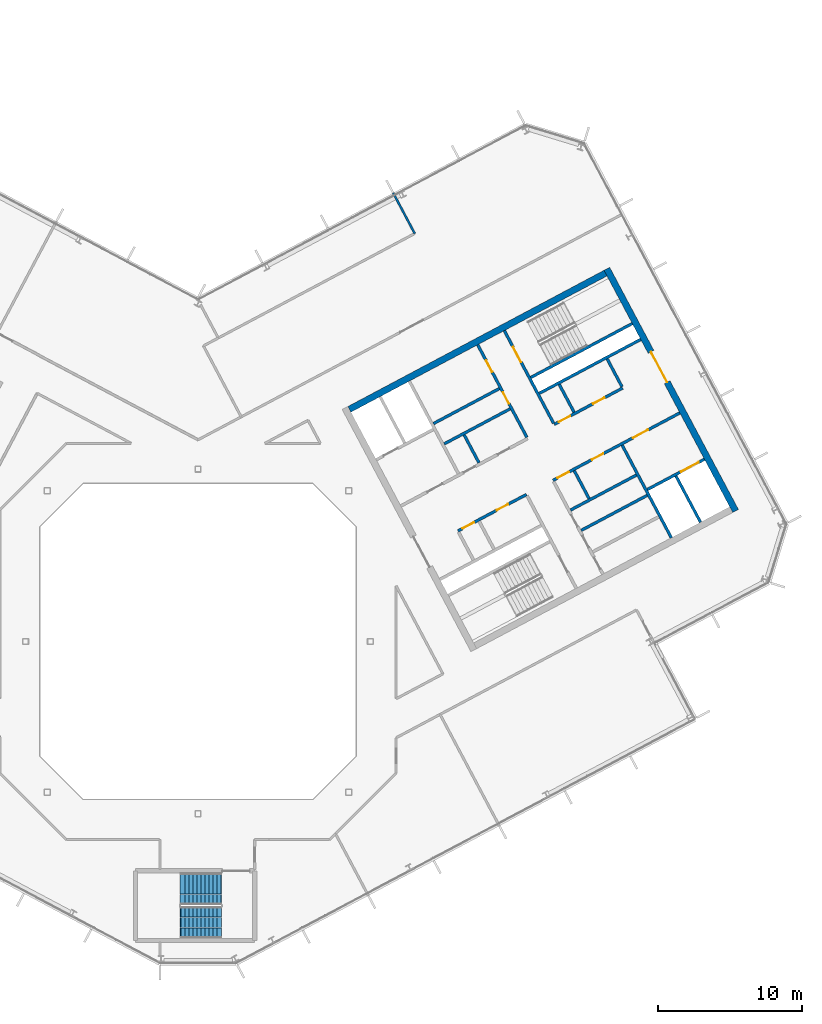
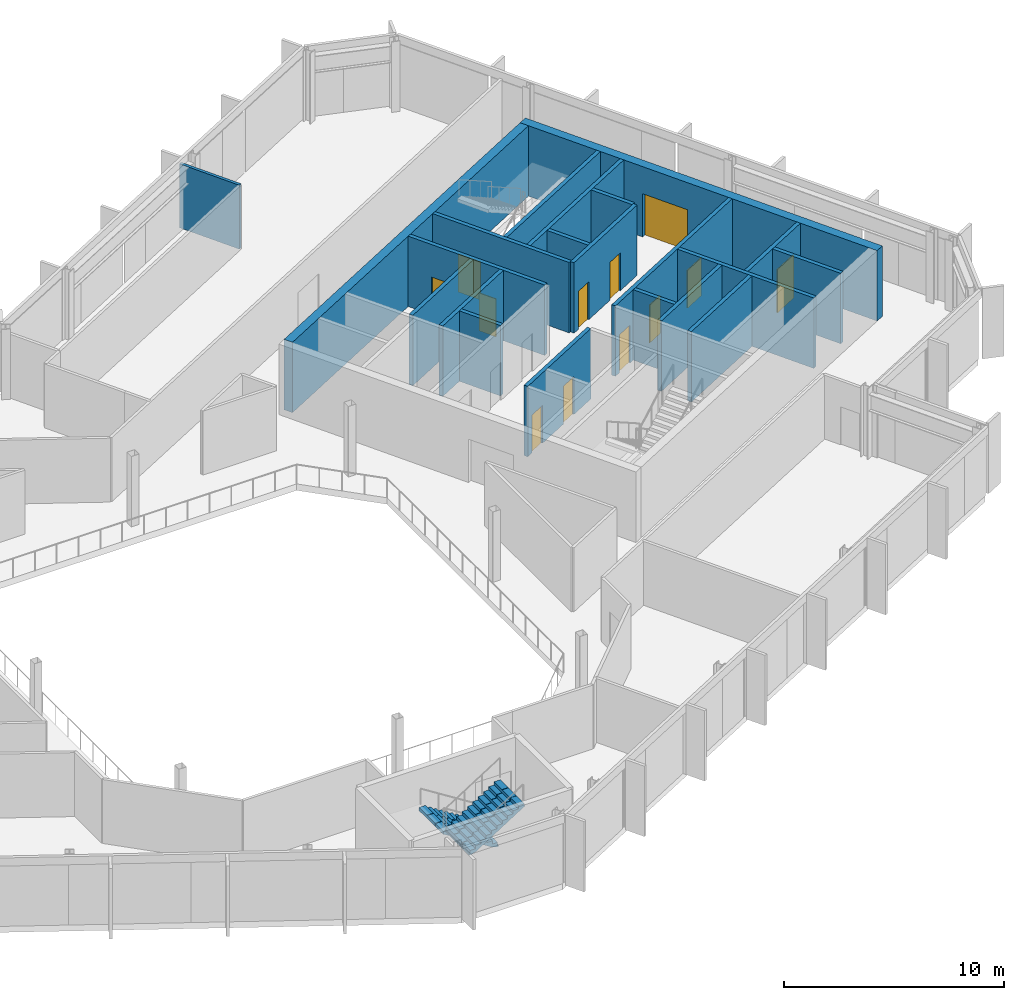
# One storey, part 17 of 26: 21 walls, 12 doors, 2 stair flights, 12 openings, 1 element without a shape of its own.
"""IFC4 building model written with IfcOpenShell, lengths in metres."""

from ifc_helpers import new_model, si_unit, direction, frame, frame_2d, origin, place, context, subcontext, project, spatial, polyline, rectangle, outline, extrude, material, layer, layer_set, type_object, element, fill, aggregate, save


model = new_model("IFC4")

# Units and contexts
model_context = context("Model", 3, precision=1e-05, world=origin(), true_north=direction((0.0, 1.0)))
body_context = subcontext(model_context, "Body", "Model", "MODEL_VIEW")
ifc_project = project(units=[si_unit("LENGTHUNIT", "METRE"), si_unit("AREAUNIT", "SQUARE_METRE"), si_unit("VOLUMEUNIT", "CUBIC_METRE"), si_unit("PLANEANGLEUNIT", "RADIAN"), si_unit("MASSUNIT", "GRAM", prefix="KILO")], contexts=[model_context])

# Site, building, storey
site_placement = place(None, origin())
site = spatial("IfcSite", under=ifc_project, at=site_placement, CompositionType="ELEMENT")
building_placement = place(site_placement, origin())
building = spatial("IfcBuilding", under=site, at=building_placement, Name="Cormorant Relay Tower", CompositionType="ELEMENT")
storey_placement = place(building_placement, frame((0.0, 0.0, 300.89990234375)))
storey = spatial("IfcBuildingStorey", under=building, at=storey_placement, Name="L68", CompositionType="ELEMENT", Elevation=300.89990234375)

# Walls
ifc_material_1 = material(Name="Concrete 40 MPa", Category="concrete")
ifc_layer_1 = layer(ifc_material_1, 0.199951171875)
ifc_layer_set_1 = layer_set([ifc_layer_1], Name="Core internal wall 200")
wall_type_1 = type_object("IfcWallType", Name="Core internal wall 200", PredefinedType="SOLIDWALL", material=ifc_layer_set_1)
for number, where, z_axis, x_axis, name in (
    (1, (19.568603515625, 12.443603515625, 0.0), (0.0, 0.0, 1.0), (-0.4694473164, 0.882960484464, 0.0), "L68 core B shaft and room wall"),
    (2, (27.236083984375, 9.951416015625, 0.0), (0.0, 0.0, 1.0), (-0.4694473164, 0.882960484464, 0.0), "L68 core B shaft and room wall"),
    (3, (26.19091796875, 15.964599609375, 0.0), (0.0, 0.0, 1.0), (-0.469533832133, 0.882914480843, 0.0), "L68 core B shaft and room wall"),
):
    element("IfcWall", number, at=place(storey_placement, frame(where, z_axis=z_axis, x_axis=x_axis)), inside=storey, type_object=wall_type_1, Name=name, PredefinedType="SOLIDWALL", context=body_context, shape_type="SweptSolid", body=[
        extrude(rectangle(XDim=2.199951171875, YDim=0.199951171875, at=frame_2d((1.10009765625, 0.0))), origin(), (0.0, 0.0, 1.0), 3.900146484375),
    ])
for number, where, z_axis, x_axis, name in (
    (4, (26.692138671875, 7.73681640625, 0.0), (0.0, 0.0, 1.0), (0.882953967957, 0.469459572775, 0.0), "L68 core B shaft and room wall"),
    (5, (16.395751953125, 15.17333984375, 0.0), (0.0, 0.0, 1.0), (0.882934506056, 0.469496174655, 0.0), "L68 core B shaft and room wall"),
):
    element("IfcWall", number, at=place(storey_placement, frame(where, z_axis=z_axis, x_axis=x_axis)), inside=storey, type_object=wall_type_1, Name=name, PredefinedType="SOLIDWALL", context=body_context, shape_type="SweptSolid", body=[
        extrude(rectangle(XDim=5.199951171875, YDim=0.199951171875, at=frame_2d((2.60009765625, 0.0))), origin(), (0.0, 0.0, 1.0), 3.900146484375),
    ])

# Wall, openings, doors
ifc_material_2 = material(Name="Concrete 50 MPa", Category="concrete")
ifc_layer_2 = layer(ifc_material_2, 0.199951171875)
ifc_layer_set_2 = layer_set([ifc_layer_2], Name="Core shaft wall 200")
wall_type_2 = type_object("IfcWallType", Name="Core shaft wall 200", PredefinedType="SHEAR", material=ifc_layer_set_2)
wall_1_placement = place(storey_placement, frame((22.90625, 14.218017578125, 0.0), z_axis=(0.0, 0.0, 1.0), x_axis=(-0.469480409012, 0.88294288918, 0.0)))
wall_1 = element("IfcWall", 6, at=wall_1_placement, inside=storey, type_object=wall_type_2, Name="L68 core B shaft wall", PredefinedType="SHEAR", context=body_context, shape_type="SweptSolid", body=[
    extrude(rectangle(XDim=7.300048828125, YDim=0.199951171875, at=frame_2d((3.64990234375, 0.0))), origin(), (0.0, 0.0, 1.0), 3.900146484375),
])
opening_1_placement = place(wall_1_placement, frame((2.64990234375, 0.0, 0.0)))
opening_1 = element("IfcOpeningElement", 7, at=opening_1_placement, cuts=wall_1, Name="Opening CDD-304", PredefinedType="OPENING", context=body_context, shape_type="SweptSolid", body=[
    extrude(rectangle(XDim=0.89990234375, YDim=2.10009765625, at=frame_2d((0.449951171875, 1.050048828125))), frame((0.0, 0.10986328125, 0.0), z_axis=(0.0, -1.0, 0.0), x_axis=(1.0, 0.0, 0.0)), (0.0, 0.0, 1.0), 0.219970703125),
])
opening_2_placement = place(wall_1_placement, frame((5.14990234375, 0.0, 0.0)))
opening_2 = element("IfcOpeningElement", 8, at=opening_2_placement, cuts=wall_1, Name="Opening CDD-342", PredefinedType="OPENING", context=body_context, shape_type="SweptSolid", body=[
    extrude(rectangle(XDim=0.89990234375, YDim=2.10009765625, at=frame_2d((0.449951171875, 1.050048828125))), frame((0.0, 0.10986328125, 0.0), z_axis=(0.0, -1.0, 0.0), x_axis=(1.0, 0.0, 0.0)), (0.0, 0.0, 1.0), 0.219970703125),
])
ifc_material_3 = material(Name="Steel fire door", Category="steel")
door_type_1 = type_object("IfcDoorType", Name="Core room door 900x2100", OperationType="SINGLE_SWING_LEFT", PredefinedType="DOOR", material=ifc_material_3)
door_1_placement = place(opening_1_placement, origin())
door_1 = element("IfcDoor", 9, at=door_1_placement, inside=storey, type_object=door_type_1, Name="Core room door 900x2100", OperationType="SINGLE_SWING_RIGHT", OverallHeight=2.10009765625, OverallWidth=0.89990234375, PredefinedType="DOOR", context=body_context, shape_type="SweptSolid", body=[
    extrude(rectangle(XDim=0.89990234375, YDim=2.10009765625, at=frame_2d((0.449951171875, 1.050048828125))), frame((0.0, 0.02490234375, 0.0), z_axis=(0.0, -1.0, 0.0), x_axis=(1.0, 0.0, 0.0)), (0.0, 0.0, 1.0), 0.050048828125),
])
fill(opening_1, door_1)
door_2_placement = place(opening_2_placement, origin())
door_2 = element("IfcDoor", 10, at=door_2_placement, inside=storey, type_object=door_type_1, Name="Core room door 900x2100", OperationType="SINGLE_SWING_LEFT", OverallHeight=2.10009765625, OverallWidth=0.89990234375, PredefinedType="DOOR", context=body_context, shape_type="SweptSolid", body=[
    extrude(rectangle(XDim=0.89990234375, YDim=2.10009765625, at=frame_2d((0.449951171875, 1.050048828125))), frame((0.0, 0.02490234375, 0.0), z_axis=(0.0, -1.0, 0.0), x_axis=(1.0, 0.0, 0.0)), (0.0, 0.0, 1.0), 0.050048828125),
])
fill(opening_2, door_2)

# Wall, opening, door
wall_2_placement = place(storey_placement, frame((24.760498046875, 15.2041015625, 0.0), z_axis=(0.0, 0.0, 1.0), x_axis=(-0.469494272526, 0.882935517501, 0.0)))
wall_2 = element("IfcWall", 11, at=wall_2_placement, inside=storey, type_object=wall_type_2, Name="L68 core B shaft wall", PredefinedType="SHEAR", context=body_context, shape_type="SweptSolid", body=[
    extrude(rectangle(XDim=7.2998046875, YDim=0.199951171875, at=frame_2d((3.64990234375, 0.0))), origin(), (0.0, 0.0, 1.0), 3.900146484375),
])
opening_3_placement = place(wall_2_placement, frame((4.800048828125, 0.0, 0.0)))
opening_3 = element("IfcOpeningElement", 12, at=opening_3_placement, cuts=wall_2, Name="Opening CDB-041", PredefinedType="OPENING", context=body_context, shape_type="SweptSolid", body=[
    extrude(rectangle(XDim=1.199951171875, YDim=2.10009765625, at=frame_2d((0.60009765625, 1.050048828125))), frame((0.0, 0.10986328125, 0.0), z_axis=(0.0, -1.0, 0.0), x_axis=(1.0, 0.0, 0.0)), (0.0, 0.0, 1.0), 0.219970703125),
])
ifc_material_4 = material(Name="Steel fire door", Category="steel")
door_type_2 = type_object("IfcDoorType", Name="Core stair door 1200x2100", OperationType="SINGLE_SWING_LEFT", PredefinedType="DOOR", material=ifc_material_4)
door_3_placement = place(opening_3_placement, frame((1.199951171875, 0.0, 0.0), z_axis=(0.0, 0.0, 1.0), x_axis=(-1.0, 0.0, 0.0)))
door_3 = element("IfcDoor", 13, at=door_3_placement, inside=storey, type_object=door_type_2, Name="Core stair door 1200x2100", OperationType="SINGLE_SWING_RIGHT", OverallHeight=2.10009765625, OverallWidth=1.199951171875, PredefinedType="DOOR", context=body_context, shape_type="SweptSolid", body=[
    extrude(rectangle(XDim=1.199951171875, YDim=2.10009765625, at=frame_2d((0.60009765625, 1.050048828125))), frame((0.0, 0.02490234375, 0.0), z_axis=(0.0, -1.0, 0.0), x_axis=(1.0, 0.0, 0.0)), (0.0, 0.0, 1.0), 0.050048828125),
])
fill(opening_3, door_3)

# Walls
wall_3_placement = place(storey_placement, frame((32.968017578125, 7.222900390625, 0.0), z_axis=(0.0, 0.0, 1.0), x_axis=(-0.469480409012, 0.88294288918, 0.0)))
element("IfcWall", 14, at=wall_3_placement, inside=storey, type_object=wall_type_2, Name="L68 core B shaft wall", PredefinedType="SHEAR", context=body_context, shape_type="SweptSolid", body=[
    extrude(rectangle(XDim=7.300048828125, YDim=0.199951171875, at=frame_2d((3.64990234375, 0.0))), origin(), (0.0, 0.0, 1.0), 3.900146484375),
])
wall_4_placement = place(storey_placement, frame((29.5283203125, 17.739013671875, 0.0), z_axis=(0.0, 0.0, 1.0), x_axis=(-0.469401318492, 0.882984938828, 0.0)))
element("IfcWall", 15, at=wall_4_placement, inside=storey, type_object=wall_type_2, Name="L68 core B shaft wall", PredefinedType="SHEAR", context=body_context, shape_type="SweptSolid", body=[
    extrude(rectangle(XDim=2.199951171875, YDim=0.199951171875, at=frame_2d((1.10009765625, 0.0))), origin(), (0.0, 0.0, 1.0), 3.900146484375),
])
wall_5_placement = place(storey_placement, frame((34.998779296875, 8.302734375, 0.0), z_axis=(0.0, 0.0, 1.0), x_axis=(-0.4694665462, 0.882950260207, 0.0)))
element("IfcWall", 16, at=wall_5_placement, inside=storey, type_object=wall_type_2, Name="L68 core B shaft wall", PredefinedType="SHEAR", context=body_context, shape_type="SweptSolid", body=[
    extrude(rectangle(XDim=3.650146484375, YDim=0.199951171875, at=frame_2d((1.8251953125, 0.0))), origin(), (0.0, 0.0, 1.0), 3.900146484375),
])

# Wall, opening, door
wall_6_placement = place(storey_placement, frame((31.295654296875, 10.5810546875, 0.0), z_axis=(0.0, 0.0, 1.0), x_axis=(0.882960433586, 0.469447412093, 0.0)))
wall_6 = element("IfcWall", 17, at=wall_6_placement, inside=storey, type_object=wall_type_2, Name="L68 core B shaft wall", PredefinedType="SHEAR", context=body_context, shape_type="SweptSolid", body=[
    extrude(rectangle(XDim=4.5, YDim=0.199951171875, at=frame_2d((2.25, 0.0))), origin(), (0.0, 0.0, 1.0), 3.900146484375),
])
opening_4_placement = place(wall_6_placement, frame((2.64990234375, 0.0, 0.0)))
opening_4 = element("IfcOpeningElement", 18, at=opening_4_placement, cuts=wall_6, Name="Opening LD3-016", PredefinedType="OPENING", context=body_context, shape_type="SweptSolid", body=[
    extrude(rectangle(XDim=1.39990234375, YDim=2.39990234375, at=frame_2d((0.699951171875, 1.199951171875))), frame((0.0, 0.10986328125, 0.0), z_axis=(0.0, -1.0, 0.0), x_axis=(1.0, 0.0, 0.0)), (0.0, 0.0, 1.0), 0.219970703125),
])
ifc_material_5 = material(Name="Stainless steel 316", Category="steel")
door_type_3 = type_object("IfcDoorType", Name="Lift landing door 1400x2400", OperationType="DOUBLE_DOOR_SLIDING", PredefinedType="DOOR", material=ifc_material_5)
door_4_placement = place(opening_4_placement, origin())
door_4 = element("IfcDoor", 19, at=door_4_placement, inside=storey, type_object=door_type_3, Name="SV2 landing door", OperationType="DOUBLE_DOOR_SLIDING", OverallHeight=2.39990234375, OverallWidth=1.39990234375, PredefinedType="DOOR", context=body_context, shape_type="SweptSolid", body=[
    extrude(rectangle(XDim=1.39990234375, YDim=2.39990234375, at=frame_2d((0.699951171875, 1.199951171875))), frame((0.0, 0.02490234375, 0.0), z_axis=(0.0, -1.0, 0.0), x_axis=(1.0, 0.0, 0.0)), (0.0, 0.0, 1.0), 0.050048828125),
])
fill(opening_4, door_4)

# Wall
wall_7_placement = place(storey_placement, frame((25.94091796875, 9.149658203125, 0.0), z_axis=(0.0, 0.0, 1.0), x_axis=(0.882953967957, 0.469459572775, 0.0)))
element("IfcWall", 20, at=wall_7_placement, inside=storey, type_object=wall_type_2, Name="L68 core B shaft wall", PredefinedType="SHEAR", context=body_context, shape_type="SweptSolid", body=[
    extrude(rectangle(XDim=5.199951171875, YDim=0.199951171875, at=frame_2d((2.60009765625, 0.0))), origin(), (0.0, 0.0, 1.0), 3.900146484375),
])

# Wall, openings, doors
wall_8_placement = place(storey_placement, frame((18.103759765625, 7.70068359375, 0.0), z_axis=(0.0, 0.0, 1.0), x_axis=(0.882952937579, 0.469461510692, 0.0)))
wall_8 = element("IfcWall", 21, at=wall_8_placement, inside=storey, type_object=wall_type_2, Name="L68 core B shaft wall", PredefinedType="SHEAR", context=body_context, shape_type="SweptSolid", body=[
    extrude(rectangle(XDim=5.400146484375, YDim=0.199951171875, at=frame_2d((2.7001953125, 0.0))), origin(), (0.0, 0.0, 1.0), 3.900146484375),
])
opening_5_placement = place(wall_8_placement, frame((0.360107421875, 0.0, 0.0)))
opening_5 = element("IfcOpeningElement", 22, at=opening_5_placement, cuts=wall_8, Name="Opening CDD-245", PredefinedType="OPENING", context=body_context, shape_type="SweptSolid", body=[
    extrude(rectangle(XDim=0.89990234375, YDim=2.10009765625, at=frame_2d((0.449951171875, 1.050048828125))), frame((0.0, 0.10986328125, 0.0), z_axis=(0.0, -1.0, 0.0), x_axis=(1.0, 0.0, 0.0)), (0.0, 0.0, 1.0), 0.219970703125),
])
opening_6_placement = place(wall_8_placement, frame((3.06005859375, 0.0, 0.0)))
opening_6 = element("IfcOpeningElement", 23, at=opening_6_placement, cuts=wall_8, Name="Opening CDD-246", PredefinedType="OPENING", context=body_context, shape_type="SweptSolid", body=[
    extrude(rectangle(XDim=0.89990234375, YDim=2.10009765625, at=frame_2d((0.449951171875, 1.050048828125))), frame((0.0, 0.10986328125, 0.0), z_axis=(0.0, -1.0, 0.0), x_axis=(1.0, 0.0, 0.0)), (0.0, 0.0, 1.0), 0.219970703125),
])
door_5_placement = place(opening_5_placement, frame((0.89990234375, 0.0, 0.0), z_axis=(0.0, 0.0, 1.0), x_axis=(-1.0, 0.0, 0.0)))
door_5 = element("IfcDoor", 24, at=door_5_placement, inside=storey, type_object=door_type_1, Name="Core room door 900x2100", OperationType="SINGLE_SWING_RIGHT", OverallHeight=2.10009765625, OverallWidth=0.89990234375, PredefinedType="DOOR", context=body_context, shape_type="SweptSolid", body=[
    extrude(rectangle(XDim=0.89990234375, YDim=2.10009765625, at=frame_2d((0.449951171875, 1.050048828125))), frame((0.0, 0.02490234375, 0.0), z_axis=(0.0, -1.0, 0.0), x_axis=(1.0, 0.0, 0.0)), (0.0, 0.0, 1.0), 0.050048828125),
])
fill(opening_5, door_5)
door_6_placement = place(opening_6_placement, frame((0.89990234375, 0.0, 0.0), z_axis=(0.0, 0.0, 1.0), x_axis=(-1.0, 0.0, 0.0)))
door_6 = element("IfcDoor", 25, at=door_6_placement, inside=storey, type_object=door_type_1, Name="Core room door 900x2100", OperationType="SINGLE_SWING_RIGHT", OverallHeight=2.10009765625, OverallWidth=0.89990234375, PredefinedType="DOOR", context=body_context, shape_type="SweptSolid", body=[
    extrude(rectangle(XDim=0.89990234375, YDim=2.10009765625, at=frame_2d((0.449951171875, 1.050048828125))), frame((0.0, 0.02490234375, 0.0), z_axis=(0.0, -1.0, 0.0), x_axis=(1.0, 0.0, 0.0)), (0.0, 0.0, 1.0), 0.050048828125),
])
fill(opening_6, door_6)

wall_9_placement = place(storey_placement, frame((24.72607421875, 11.2216796875, 0.0), z_axis=(0.0, 0.0, 1.0), x_axis=(0.882940221191, 0.469485426614, 0.0)))
wall_9 = element("IfcWall", 26, at=wall_9_placement, inside=storey, type_object=wall_type_2, Name="L68 core B shaft wall", PredefinedType="SHEAR", context=body_context, shape_type="SweptSolid", body=[
    extrude(rectangle(XDim=10.0, YDim=0.199951171875, at=frame_2d((5.0, 0.0))), origin(), (0.0, 0.0, 1.0), 3.900146484375),
])
opening_7_placement = place(wall_9_placement, frame((6.300048828125, 0.0, 0.0)))
opening_7 = element("IfcOpeningElement", 27, at=opening_7_placement, cuts=wall_9, Name="Opening CDC-036", PredefinedType="OPENING", context=body_context, shape_type="SweptSolid", body=[
    extrude(rectangle(XDim=1.199951171875, YDim=2.10009765625, at=frame_2d((0.60009765625, 1.050048828125))), frame((0.0, 0.10986328125, 0.0), z_axis=(0.0, -1.0, 0.0), x_axis=(1.0, 0.0, 0.0)), (0.0, 0.0, 1.0), 0.219970703125),
])
opening_8_placement = place(wall_9_placement, frame((0.360107421875, 0.0, 0.0)))
opening_8 = element("IfcOpeningElement", 28, at=opening_8_placement, cuts=wall_9, Name="Opening CDD-247", PredefinedType="OPENING", context=body_context, shape_type="SweptSolid", body=[
    extrude(rectangle(XDim=0.89990234375, YDim=2.10009765625, at=frame_2d((0.449951171875, 1.050048828125))), frame((0.0, 0.10986328125, 0.0), z_axis=(0.0, -1.0, 0.0), x_axis=(1.0, 0.0, 0.0)), (0.0, 0.0, 1.0), 0.219970703125),
])
opening_9_placement = place(wall_9_placement, frame((3.06005859375, 0.0, 0.0)))
opening_9 = element("IfcOpeningElement", 29, at=opening_9_placement, cuts=wall_9, Name="Opening CDD-248", PredefinedType="OPENING", context=body_context, shape_type="SweptSolid", body=[
    extrude(rectangle(XDim=0.89990234375, YDim=2.10009765625, at=frame_2d((0.449951171875, 1.050048828125))), frame((0.0, 0.10986328125, 0.0), z_axis=(0.0, -1.0, 0.0), x_axis=(1.0, 0.0, 0.0)), (0.0, 0.0, 1.0), 0.219970703125),
])
ifc_material_6 = material(Name="Steel fire door", Category="steel")
door_type_4 = type_object("IfcDoorType", Name="Core lobby door 1200x2100", OperationType="SINGLE_SWING_LEFT", PredefinedType="DOOR", material=ifc_material_6)
door_7_placement = place(opening_7_placement, frame((1.199951171875, 0.0, 0.0), z_axis=(0.0, 0.0, 1.0), x_axis=(-1.0, 0.0, 0.0)))
door_7 = element("IfcDoor", 30, at=door_7_placement, inside=storey, type_object=door_type_4, Name="Core lobby door 1200x2100", OperationType="SINGLE_SWING_RIGHT", OverallHeight=2.10009765625, OverallWidth=1.199951171875, PredefinedType="DOOR", context=body_context, shape_type="SweptSolid", body=[
    extrude(rectangle(XDim=1.199951171875, YDim=2.10009765625, at=frame_2d((0.60009765625, 1.050048828125))), frame((0.0, 0.02490234375, 0.0), z_axis=(0.0, -1.0, 0.0), x_axis=(1.0, 0.0, 0.0)), (0.0, 0.0, 1.0), 0.050048828125),
])
fill(opening_7, door_7)
door_8_placement = place(opening_8_placement, frame((0.89990234375, 0.0, 0.0), z_axis=(0.0, 0.0, 1.0), x_axis=(-1.0, 0.0, 0.0)))
door_8 = element("IfcDoor", 31, at=door_8_placement, inside=storey, type_object=door_type_1, Name="Core room door 900x2100", OperationType="SINGLE_SWING_RIGHT", OverallHeight=2.10009765625, OverallWidth=0.89990234375, PredefinedType="DOOR", context=body_context, shape_type="SweptSolid", body=[
    extrude(rectangle(XDim=0.89990234375, YDim=2.10009765625, at=frame_2d((0.449951171875, 1.050048828125))), frame((0.0, 0.02490234375, 0.0), z_axis=(0.0, -1.0, 0.0), x_axis=(1.0, 0.0, 0.0)), (0.0, 0.0, 1.0), 0.050048828125),
])
fill(opening_8, door_8)
door_9_placement = place(opening_9_placement, frame((0.89990234375, 0.0, 0.0), z_axis=(0.0, 0.0, 1.0), x_axis=(-1.0, 0.0, 0.0)))
door_9 = element("IfcDoor", 32, at=door_9_placement, inside=storey, type_object=door_type_1, Name="Core room door 900x2100", OperationType="SINGLE_SWING_RIGHT", OverallHeight=2.10009765625, OverallWidth=0.89990234375, PredefinedType="DOOR", context=body_context, shape_type="SweptSolid", body=[
    extrude(rectangle(XDim=0.89990234375, YDim=2.10009765625, at=frame_2d((0.449951171875, 1.050048828125))), frame((0.0, 0.02490234375, 0.0), z_axis=(0.0, -1.0, 0.0), x_axis=(1.0, 0.0, 0.0)), (0.0, 0.0, 1.0), 0.050048828125),
])
fill(opening_9, door_9)

wall_10_placement = place(storey_placement, frame((24.807373046875, 15.11572265625, 0.0), z_axis=(0.0, 0.0, 1.0), x_axis=(0.882942972946, 0.469480251476, 0.0)))
wall_10 = element("IfcWall", 33, at=wall_10_placement, inside=storey, type_object=wall_type_2, Name="L68 core B shaft wall", PredefinedType="SHEAR", context=body_context, shape_type="SweptSolid", body=[
    extrude(rectangle(XDim=5.39990234375, YDim=0.199951171875, at=frame_2d((2.699951171875, 0.0))), origin(), (0.0, 0.0, 1.0), 3.900146484375),
])
opening_10_placement = place(wall_10_placement, frame((0.360107421875, 0.0, 0.0)))
opening_10 = element("IfcOpeningElement", 34, at=opening_10_placement, cuts=wall_10, Name="Opening CDD-243", PredefinedType="OPENING", context=body_context, shape_type="SweptSolid", body=[
    extrude(rectangle(XDim=0.89990234375, YDim=2.10009765625, at=frame_2d((0.449951171875, 1.050048828125))), frame((0.0, 0.10986328125, 0.0), z_axis=(0.0, -1.0, 0.0), x_axis=(1.0, 0.0, 0.0)), (0.0, 0.0, 1.0), 0.219970703125),
])
opening_11_placement = place(wall_10_placement, frame((3.06005859375, 0.0, 0.0)))
opening_11 = element("IfcOpeningElement", 35, at=opening_11_placement, cuts=wall_10, Name="Opening CDD-294", PredefinedType="OPENING", context=body_context, shape_type="SweptSolid", body=[
    extrude(rectangle(XDim=0.89990234375, YDim=2.10009765625, at=frame_2d((0.449951171875, 1.050048828125))), frame((0.0, 0.10986328125, 0.0), z_axis=(0.0, -1.0, 0.0), x_axis=(1.0, 0.0, 0.0)), (0.0, 0.0, 1.0), 0.219970703125),
])
door_10_placement = place(opening_10_placement, origin())
door_10 = element("IfcDoor", 36, at=door_10_placement, inside=storey, type_object=door_type_1, Name="Core room door 900x2100", OperationType="SINGLE_SWING_LEFT", OverallHeight=2.10009765625, OverallWidth=0.89990234375, PredefinedType="DOOR", context=body_context, shape_type="SweptSolid", body=[
    extrude(rectangle(XDim=0.89990234375, YDim=2.10009765625, at=frame_2d((0.449951171875, 1.050048828125))), frame((0.0, 0.02490234375, 0.0), z_axis=(0.0, -1.0, 0.0), x_axis=(1.0, 0.0, 0.0)), (0.0, 0.0, 1.0), 0.050048828125),
])
fill(opening_10, door_10)
door_11_placement = place(opening_11_placement, origin())
door_11 = element("IfcDoor", 37, at=door_11_placement, inside=storey, type_object=door_type_1, Name="Core room door 900x2100", OperationType="SINGLE_SWING_LEFT", OverallHeight=2.10009765625, OverallWidth=0.89990234375, PredefinedType="DOOR", context=body_context, shape_type="SweptSolid", body=[
    extrude(rectangle(XDim=0.89990234375, YDim=2.10009765625, at=frame_2d((0.449951171875, 1.050048828125))), frame((0.0, 0.02490234375, 0.0), z_axis=(0.0, -1.0, 0.0), x_axis=(1.0, 0.0, 0.0)), (0.0, 0.0, 1.0), 0.050048828125),
])
fill(opening_11, door_11)

# Walls
wall_11_placement = place(storey_placement, frame((17.146728515625, 13.7607421875, 0.0), z_axis=(0.0, 0.0, 1.0), x_axis=(0.882964314875, 0.469440111896, 0.0)))
element("IfcWall", 38, at=wall_11_placement, inside=storey, type_object=wall_type_2, Name="L68 core B shaft wall", PredefinedType="SHEAR", context=body_context, shape_type="SweptSolid", body=[
    extrude(rectangle(XDim=5.2001953125, YDim=0.199951171875, at=frame_2d((2.60009765625, 0.0))), origin(), (0.0, 0.0, 1.0), 3.900146484375),
])
wall_12_placement = place(storey_placement, frame((23.76904296875, 17.28173828125, 0.0), z_axis=(0.0, 0.0, 1.0), x_axis=(0.882940221191, 0.469485426614, 0.0)))
element("IfcWall", 39, at=wall_12_placement, inside=storey, type_object=wall_type_2, Name="L68 core B shaft wall", PredefinedType="SHEAR", context=body_context, shape_type="SweptSolid", body=[
    extrude(rectangle(XDim=8.0, YDim=0.199951171875, at=frame_2d((4.0, 0.0))), origin(), (0.0, 0.0, 1.0), 3.900146484375),
])
wall_13_placement = place(storey_placement, frame((23.18212890625, 18.385498046875, 0.0), z_axis=(0.0, 0.0, 1.0), x_axis=(0.88295287151, 0.469461634952, 0.0)))
element("IfcWall", 40, at=wall_13_placement, inside=storey, type_object=wall_type_2, Name="L68 core B shaft wall", PredefinedType="SHEAR", context=body_context, shape_type="SweptSolid", body=[
    extrude(rectangle(XDim=7.999755859375, YDim=0.199951171875, at=frame_2d((4.0, 0.0))), origin(), (0.0, 0.0, 1.0), 3.900146484375),
])

# Wall, opening, door
ifc_material_7 = material(Name="Concrete 50 MPa", Category="concrete")
ifc_layer_3 = layer(ifc_material_7, 0.449951171875)
ifc_layer_set_3 = layer_set([ifc_layer_3], Name="Core wall 450")
wall_type_3 = type_object("IfcWallType", Name="Core wall 450", PredefinedType="SHEAR", material=ifc_layer_set_3)
wall_14_placement = place(storey_placement, frame((37.439453125, 9.0908203125, 0.0), z_axis=(0.0, 0.0, 1.0), x_axis=(-0.469467968382, 0.882949504028, 0.0)))
wall_14 = element("IfcWall", 41, at=wall_14_placement, inside=storey, type_object=wall_type_3, Name="L68 core B wall", PredefinedType="SHEAR", context=body_context, shape_type="SweptSolid", body=[
    extrude(rectangle(XDim=19.099853515625, YDim=0.449951171875, at=frame_2d((9.5498046875, 0.0))), origin(), (0.0, 0.0, 1.0), 3.900146484375),
])
opening_12_placement = place(wall_14_placement, frame((10.14990234375, 0.0, 0.0)))
opening_12 = element("IfcOpeningElement", 42, at=opening_12_placement, cuts=wall_14, Name="Opening CDA-057", PredefinedType="OPENING", context=body_context, shape_type="SweptSolid", body=[
    extrude(rectangle(XDim=2.39990234375, YDim=2.39990234375, at=frame_2d((1.199951171875, 1.199951171875))), frame((0.0, 0.23486328125, 0.0), z_axis=(0.0, -1.0, 0.0), x_axis=(1.0, 0.0, 0.0)), (0.0, 0.0, 1.0), 0.469970703125),
])
ifc_material_8 = material(Name="Steel fire door", Category="steel")
door_type_5 = type_object("IfcDoorType", Name="Core lobby door 2400x2400", OperationType="DOUBLE_DOOR_SINGLE_SWING", PredefinedType="DOOR", material=ifc_material_8)
door_12_placement = place(opening_12_placement, frame((2.39990234375, 0.0, 0.0), z_axis=(0.0, 0.0, 1.0), x_axis=(-1.0, 0.0, 0.0)))
door_12 = element("IfcDoor", 43, at=door_12_placement, inside=storey, type_object=door_type_5, Name="Core lobby door 2400x2400", OperationType="DOUBLE_DOOR_SINGLE_SWING", OverallHeight=2.39990234375, OverallWidth=2.39990234375, PredefinedType="DOOR", context=body_context, shape_type="SweptSolid", body=[
    extrude(rectangle(XDim=2.39990234375, YDim=2.39990234375, at=frame_2d((1.199951171875, 1.199951171875))), frame((0.0, 0.02490234375, 0.0), z_axis=(0.0, -1.0, 0.0), x_axis=(1.0, 0.0, 0.0)), (0.0, 0.0, 1.0), 0.050048828125),
])
fill(opening_12, door_12)

# Walls
wall_15_placement = place(storey_placement, frame((10.5439453125, 16.16748046875, 0.0), z_axis=(0.0, 0.0, 1.0), x_axis=(0.882947755831, 0.46947125628, 0.0)))
element("IfcWall", 44, at=wall_15_placement, inside=storey, type_object=wall_type_3, Name="L68 core B wall", PredefinedType="SHEAR", context=body_context, shape_type="SweptSolid", body=[
    extrude(rectangle(XDim=20.2001953125, YDim=0.449951171875, at=frame_2d((10.10009765625, 0.0))), origin(), (0.0, 0.0, 1.0), 3.900146484375),
])
ifc_material_9 = material(Name="Gypsum board partition")
ifc_layer_4 = layer(ifc_material_9, 0.14990234375)
ifc_layer_set_4 = layer_set([ifc_layer_4], Name="Tenant partition 150")
wall_type_4 = type_object("IfcWallType", Name="Tenant partition 150", PredefinedType="PARTITIONING", material=ifc_layer_set_4)
wall_16_placement = place(storey_placement, frame((15.093994140625, 28.412109375, 0.0), z_axis=(0.0, 0.0, 1.0), x_axis=(-0.469082703107, 0.883154243406, 0.0)))
element("IfcWall", 45, at=wall_16_placement, inside=storey, type_object=wall_type_4, Name="wall/L68/part/030", PredefinedType="PARTITIONING", context=body_context, shape_type="SweptSolid", body=[
    extrude(rectangle(XDim=3.19970703125, YDim=0.14990234375, at=frame_2d((1.599853515625, 0.0))), origin(), (0.0, 0.0, 1.0), 3.5400390625),
])

# Stair, stair flights
ifc_material_10 = material(Name="Concrete 40 MPa", Category="concrete")
stair_type = type_object("IfcStairType", Name="Remote exit stair 2200", PredefinedType="HALF_TURN_STAIR", material=ifc_material_10)
stair_placement = place(storey_placement, origin())
stair = element("IfcStair", 46, at=stair_placement, inside=storey, type_object=stair_type, Name="L68 Stair", PredefinedType="HALF_TURN_STAIR")
ifc_material_11 = material(Name="Concrete 40 MPa", Category="concrete")
stair_flight_type = type_object("IfcStairFlightType", Name="Remote exit stair flight 2200", PredefinedType="STRAIGHT", material=ifc_material_11)
stair_flight_1_placement = place(storey_placement, frame((1.60009765625, -17.22509765625, 0.0), z_axis=(0.0, 0.0, 1.0), x_axis=(-1.0, 0.0, 0.0)))
stair_flight_1 = element("IfcStairFlight", 47, at=stair_flight_1_placement, type_object=stair_flight_type, Name="RK1 flight 1", NumberOfRisers=11, NumberOfTreads=10, PredefinedType="STRAIGHT", RiserHeight=0.177272727, TreadLength=0.28, context=body_context, shape_type="SweptSolid", body=[
    extrude(outline(polyline([(-0.050048828125, -0.080078125), (-0.050048828125, 0.0), (0.0, 0.0), (0.0, 0.17724609375), (0.280029296875, 0.17724609375), (0.280029296875, 0.3544921875), (0.56005859375, 0.3544921875), (0.56005859375, 0.53173828125), (0.840087890625, 0.53173828125), (0.840087890625, 0.708984375), (1.1201171875, 0.708984375), (1.1201171875, 0.886474609375), (1.39990234375, 0.886474609375), (1.39990234375, 1.063720703125), (1.679931640625, 1.063720703125), (1.679931640625, 1.240966796875), (1.9599609375, 1.240966796875), (1.9599609375, 1.418212890625), (2.239990234375, 1.418212890625), (2.239990234375, 1.595458984375), (2.52001953125, 1.595458984375), (2.52001953125, 1.772705078125), (2.800048828125, 1.772705078125), (2.85009765625, 1.772705078125), (2.85009765625, 1.59521484375), (2.800048828125, 1.59521484375), (0.2802734375, 0.0), (-0.050048828125, -0.080078125)])), frame((0.0, 1.10009765625, 0.0), z_axis=(0.0, -1.0, 0.0), x_axis=(1.0, 0.0, 0.0)), (0.0, 0.0, 1.0), 0.719970703125),
    extrude(outline(polyline([(-0.050048828125, -0.080078125), (-0.050048828125, 0.0), (0.0, 0.0), (0.0, 0.17724609375), (0.280029296875, 0.17724609375), (0.280029296875, 0.3544921875), (0.56005859375, 0.3544921875), (0.56005859375, 0.53173828125), (0.840087890625, 0.53173828125), (0.840087890625, 0.708984375), (1.1201171875, 0.708984375), (1.1201171875, 0.886474609375), (1.39990234375, 0.886474609375), (1.39990234375, 1.063720703125), (1.679931640625, 1.063720703125), (1.679931640625, 1.240966796875), (1.9599609375, 1.240966796875), (1.9599609375, 1.418212890625), (2.239990234375, 1.418212890625), (2.239990234375, 1.595458984375), (2.52001953125, 1.595458984375), (2.52001953125, 1.772705078125), (2.800048828125, 1.772705078125), (2.85009765625, 1.772705078125), (2.85009765625, 1.59521484375), (2.800048828125, 1.59521484375), (0.2802734375, 0.0), (-0.050048828125, -0.080078125)])), frame((0.0, 0.360107421875, 0.0), z_axis=(0.0, -1.0, 0.0), x_axis=(1.0, 0.0, 0.0)), (0.0, 0.0, 1.0), 0.719970703125),
    extrude(outline(polyline([(-0.050048828125, -0.080078125), (-0.050048828125, 0.0), (0.0, 0.0), (0.0, 0.17724609375), (0.280029296875, 0.17724609375), (0.280029296875, 0.3544921875), (0.56005859375, 0.3544921875), (0.56005859375, 0.53173828125), (0.840087890625, 0.53173828125), (0.840087890625, 0.708984375), (1.1201171875, 0.708984375), (1.1201171875, 0.886474609375), (1.39990234375, 0.886474609375), (1.39990234375, 1.063720703125), (1.679931640625, 1.063720703125), (1.679931640625, 1.240966796875), (1.9599609375, 1.240966796875), (1.9599609375, 1.418212890625), (2.239990234375, 1.418212890625), (2.239990234375, 1.595458984375), (2.52001953125, 1.595458984375), (2.52001953125, 1.772705078125), (2.800048828125, 1.772705078125), (2.85009765625, 1.772705078125), (2.85009765625, 1.59521484375), (2.800048828125, 1.59521484375), (0.2802734375, 0.0), (-0.050048828125, -0.080078125)])), frame((0.0, -0.3798828125, 0.0), z_axis=(0.0, -1.0, 0.0), x_axis=(1.0, 0.0, 0.0)), (0.0, 0.0, 1.0), 0.719970703125),
])
stair_flight_2_placement = place(storey_placement, frame((-1.199951171875, -19.574951171875, 1.9501953125), z_axis=(0.0, 0.0, 1.0), x_axis=(1.0, 0.0, 0.0)))
stair_flight_2 = element("IfcStairFlight", 48, at=stair_flight_2_placement, type_object=stair_flight_type, Name="RK1 flight 2", NumberOfRisers=11, NumberOfTreads=10, PredefinedType="STRAIGHT", RiserHeight=0.177272727, TreadLength=0.28, context=body_context, shape_type="SweptSolid", body=[
    extrude(outline(polyline([(-0.050048828125, -0.080078125), (-0.050048828125, 0.0), (0.0, 0.0), (0.0, 0.17724609375), (0.280029296875, 0.17724609375), (0.280029296875, 0.3544921875), (0.56005859375, 0.3544921875), (0.56005859375, 0.53173828125), (0.840087890625, 0.53173828125), (0.840087890625, 0.708984375), (1.1201171875, 0.708984375), (1.1201171875, 0.886474609375), (1.39990234375, 0.886474609375), (1.39990234375, 1.063720703125), (1.679931640625, 1.063720703125), (1.679931640625, 1.240966796875), (1.9599609375, 1.240966796875), (1.9599609375, 1.418212890625), (2.239990234375, 1.418212890625), (2.239990234375, 1.595458984375), (2.52001953125, 1.595458984375), (2.52001953125, 1.772705078125), (2.800048828125, 1.772705078125), (2.85009765625, 1.772705078125), (2.85009765625, 1.59521484375), (2.800048828125, 1.59521484375), (0.2802734375, 0.0), (-0.050048828125, -0.080078125)])), frame((0.0, 1.10009765625, 0.0), z_axis=(0.0, -1.0, 0.0), x_axis=(1.0, 0.0, 0.0)), (0.0, 0.0, 1.0), 0.719970703125),
    extrude(outline(polyline([(-0.050048828125, -0.080078125), (-0.050048828125, 0.0), (0.0, 0.0), (0.0, 0.17724609375), (0.280029296875, 0.17724609375), (0.280029296875, 0.3544921875), (0.56005859375, 0.3544921875), (0.56005859375, 0.53173828125), (0.840087890625, 0.53173828125), (0.840087890625, 0.708984375), (1.1201171875, 0.708984375), (1.1201171875, 0.886474609375), (1.39990234375, 0.886474609375), (1.39990234375, 1.063720703125), (1.679931640625, 1.063720703125), (1.679931640625, 1.240966796875), (1.9599609375, 1.240966796875), (1.9599609375, 1.418212890625), (2.239990234375, 1.418212890625), (2.239990234375, 1.595458984375), (2.52001953125, 1.595458984375), (2.52001953125, 1.772705078125), (2.800048828125, 1.772705078125), (2.85009765625, 1.772705078125), (2.85009765625, 1.59521484375), (2.800048828125, 1.59521484375), (0.2802734375, 0.0), (-0.050048828125, -0.080078125)])), frame((0.0, 0.360107421875, 0.0), z_axis=(0.0, -1.0, 0.0), x_axis=(1.0, 0.0, 0.0)), (0.0, 0.0, 1.0), 0.719970703125),
    extrude(outline(polyline([(-0.050048828125, -0.080078125), (-0.050048828125, 0.0), (0.0, 0.0), (0.0, 0.17724609375), (0.280029296875, 0.17724609375), (0.280029296875, 0.3544921875), (0.56005859375, 0.3544921875), (0.56005859375, 0.53173828125), (0.840087890625, 0.53173828125), (0.840087890625, 0.708984375), (1.1201171875, 0.708984375), (1.1201171875, 0.886474609375), (1.39990234375, 0.886474609375), (1.39990234375, 1.063720703125), (1.679931640625, 1.063720703125), (1.679931640625, 1.240966796875), (1.9599609375, 1.240966796875), (1.9599609375, 1.418212890625), (2.239990234375, 1.418212890625), (2.239990234375, 1.595458984375), (2.52001953125, 1.595458984375), (2.52001953125, 1.772705078125), (2.800048828125, 1.772705078125), (2.85009765625, 1.772705078125), (2.85009765625, 1.59521484375), (2.800048828125, 1.59521484375), (0.2802734375, 0.0), (-0.050048828125, -0.080078125)])), frame((0.0, -0.3798828125, 0.0), z_axis=(0.0, -1.0, 0.0), x_axis=(1.0, 0.0, 0.0)), (0.0, 0.0, 1.0), 0.719970703125),
])
aggregate(stair, [stair_flight_1, stair_flight_2])

save(model, "model.ifc")
